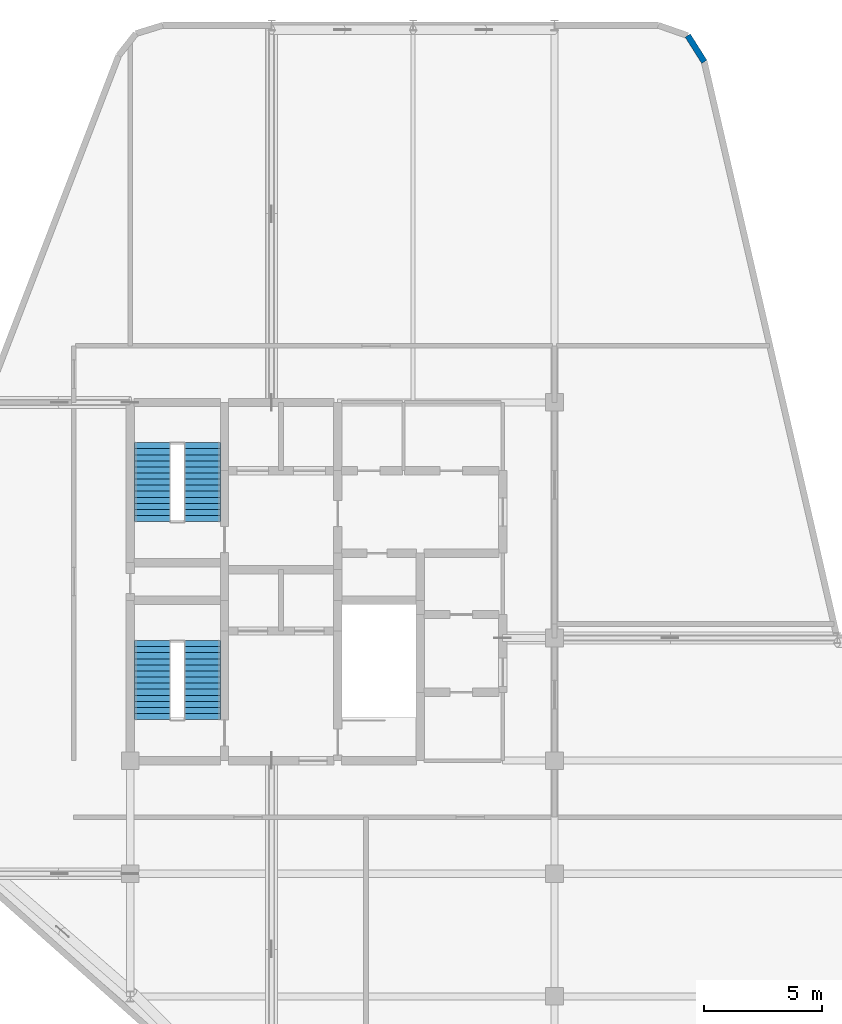
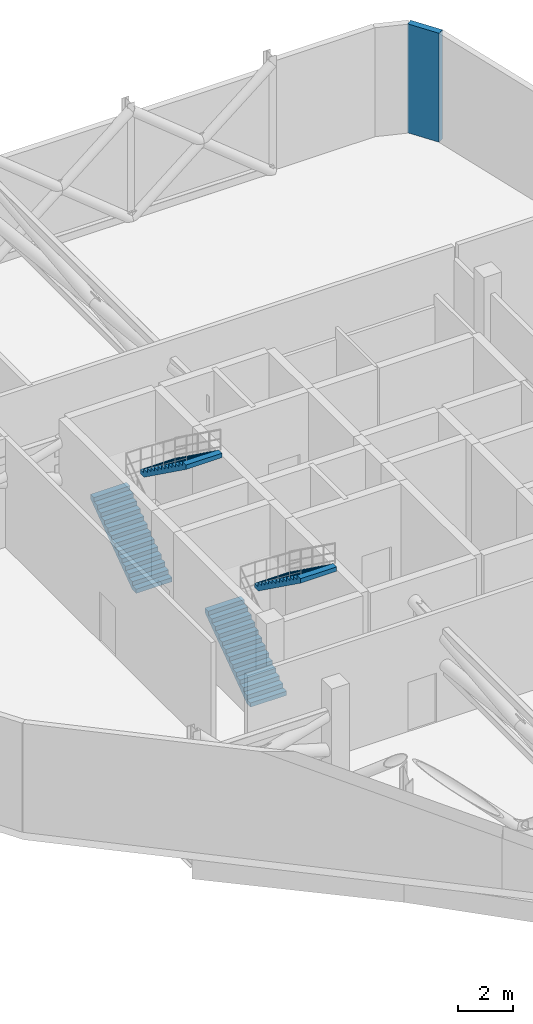
# One storey, part 11 of 12: 4 stair flights, 1 wall, 2 elements without a shape of their own.
"""IFC4 building model written with IfcOpenShell, lengths in metres."""

from ifc_helpers import new_model, si_unit, direction, frame, frame_2d, origin, place, context, subcontext, project, spatial, polyline, rectangle, outline, extrude, material, layer, layer_set, type_object, element, aggregate, save


model = new_model("IFC4")

# Units and contexts
model_context = context("Model", 3, precision=1e-05, world=origin(), true_north=direction((0.0, 1.0)))
body_context = subcontext(model_context, "Body", "Model", "MODEL_VIEW")
ifc_project = project(units=[si_unit("LENGTHUNIT", "METRE"), si_unit("AREAUNIT", "SQUARE_METRE"), si_unit("VOLUMEUNIT", "CUBIC_METRE"), si_unit("PLANEANGLEUNIT", "RADIAN"), si_unit("MASSUNIT", "GRAM", prefix="KILO")], contexts=[model_context])

# Site, building, storey
site_placement = place(None, origin())
site = spatial("IfcSite", under=ifc_project, at=site_placement, CompositionType="ELEMENT")
building_placement = place(site_placement, origin())
building = spatial("IfcBuilding", under=site, at=building_placement, Name="Keshet Zoharim Tower", CompositionType="ELEMENT")
storey_placement = place(building_placement, frame((0.0, 0.0, 237.60009765625)))
storey = spatial("IfcBuildingStorey", under=building, at=storey_placement, Name="L59", CompositionType="ELEMENT", Elevation=237.60009765625)

# Wall
ifc_material_1 = material(Name="Concrete C50/60 precast", Category="concrete")
ifc_layer = layer(ifc_material_1, 0.260009765625)
ifc_layer_set = layer_set([ifc_layer], Name="Concrete C50/60 precast")
wall_type = type_object("IfcWallType", Name="WL-EXT-260", PredefinedType="STANDARD", material=ifc_layer_set)
wall_placement = place(storey_placement, frame((38.654052734375, 53.465087890625, 0.0), z_axis=(0.0, 0.0, 1.0), x_axis=(0.53380488896, -0.845607675297, 0.0)))
element("IfcWall", 1, at=wall_placement, inside=storey, type_object=wall_type, Name="L59 Exterior Facade Wall 18", PredefinedType="STANDARD", context=body_context, shape_type="SweptSolid", body=[
    extrude(rectangle(XDim=1.318603515625, YDim=0.260009765625, at=frame_2d((0.6591796875, 0.0))), origin(), (0.0, 0.0, 1.0), 4.8798828125),
])

# Stair, stair flights
ifc_material_2 = material(Name="Concrete C50/60", Category="concrete")
stair_type = type_object("IfcStairType", Name="STR-EXIT-135", PredefinedType="HALF_TURN_STAIR", material=ifc_material_2)
stair_1_placement = place(storey_placement, origin())
stair_1 = element("IfcStair", 2, at=stair_1_placement, inside=storey, type_object=stair_type, Name="L59 Enclosed Exit Stair ST-01", PredefinedType="HALF_TURN_STAIR")
stair_flight_type = type_object("IfcStairFlightType", Name="FLT-PRE-135", PredefinedType="STRAIGHT", material=ifc_material_2)
stair_flight_1_placement = place(storey_placement, frame((15.945068359375, 24.43994140625, 0.0), z_axis=(0.0, 0.0, 1.0), x_axis=(0.0, 1.0, 0.0)))
stair_flight_1 = element("IfcStairFlight", 3, at=stair_flight_1_placement, type_object=stair_flight_type, Name="ST-01 flight 1", NumberOfRisers=14, NumberOfTreads=13, PredefinedType="STRAIGHT", RiserHeight=0.185714, TreadLength=0.258, context=body_context, shape_type="SweptSolid", body=[
    extrude(outline(polyline([(0.0, 0.0), (0.0, 0.185791015625), (0.258056640625, 0.185791015625), (0.258056640625, 0.371337890625), (0.51611328125, 0.371337890625), (0.51611328125, 0.55712890625), (0.77392578125, 0.55712890625), (0.77392578125, 0.742919921875), (1.031982421875, 0.742919921875), (1.031982421875, 0.928466796875), (1.2900390625, 0.928466796875), (1.2900390625, 1.1142578125), (1.548095703125, 1.1142578125), (1.548095703125, 1.300048828125), (1.805908203125, 1.300048828125), (1.805908203125, 1.485595703125), (2.06396484375, 1.485595703125), (2.06396484375, 1.67138671875), (2.322021484375, 1.67138671875), (2.322021484375, 1.857177734375), (2.580078125, 1.857177734375), (2.580078125, 2.04296875), (2.837890625, 2.04296875), (2.837890625, 2.228515625), (3.095947265625, 2.228515625), (3.095947265625, 2.414306640625), (3.35400390625, 2.414306640625), (3.35400390625, 2.60009765625), (3.35400390625, 2.21728515625), (0.273681640625, 0.0), (0.0, 0.0)])), frame((0.0, 0.76513671875, 0.0), z_axis=(0.0, -1.0, 0.0), x_axis=(1.0, 0.0, 0.0)), (0.0, 0.0, 1.0), 1.530029296875),
])
stair_flight_2_placement = place(storey_placement, frame((18.054931640625, 27.7939453125, 2.599853515625), z_axis=(0.0, 0.0, 1.0), x_axis=(0.0, -1.0, 0.0)))
stair_flight_2 = element("IfcStairFlight", 4, at=stair_flight_2_placement, type_object=stair_flight_type, Name="ST-01 flight 2", NumberOfRisers=14, NumberOfTreads=13, PredefinedType="STRAIGHT", RiserHeight=0.185714, TreadLength=0.258, context=body_context, shape_type="SweptSolid", body=[
    extrude(outline(polyline([(0.0, 0.0), (0.0, 0.185791015625), (0.258056640625, 0.185791015625), (0.258056640625, 0.371337890625), (0.51611328125, 0.371337890625), (0.51611328125, 0.55712890625), (0.77392578125, 0.55712890625), (0.77392578125, 0.742919921875), (1.031982421875, 0.742919921875), (1.031982421875, 0.928466796875), (1.2900390625, 0.928466796875), (1.2900390625, 1.1142578125), (1.548095703125, 1.1142578125), (1.548095703125, 1.300048828125), (1.805908203125, 1.300048828125), (1.805908203125, 1.485595703125), (2.06396484375, 1.485595703125), (2.06396484375, 1.67138671875), (2.322021484375, 1.67138671875), (2.322021484375, 1.857177734375), (2.580078125, 1.857177734375), (2.580078125, 2.04296875), (2.837890625, 2.04296875), (2.837890625, 2.228515625), (3.095947265625, 2.228515625), (3.095947265625, 2.414306640625), (3.35400390625, 2.414306640625), (3.35400390625, 2.60009765625), (3.35400390625, 2.21728515625), (0.273681640625, 0.0), (0.0, 0.0)])), frame((0.0, 0.76513671875, 0.0), z_axis=(0.0, -1.0, 0.0), x_axis=(1.0, 0.0, 0.0)), (0.0, 0.0, 1.0), 1.530029296875),
])
aggregate(stair_1, [stair_flight_1, stair_flight_2])

stair_2_placement = place(storey_placement, origin())
stair_2 = element("IfcStair", 5, at=stair_2_placement, inside=storey, type_object=stair_type, Name="L59 Enclosed Exit Stair ST-02", PredefinedType="HALF_TURN_STAIR")
stair_flight_3_placement = place(storey_placement, frame((15.945068359375, 32.840087890625, 0.0), z_axis=(0.0, 0.0, 1.0), x_axis=(0.0, 1.0, 0.0)))
stair_flight_3 = element("IfcStairFlight", 6, at=stair_flight_3_placement, type_object=stair_flight_type, Name="ST-02 flight 1", NumberOfRisers=14, NumberOfTreads=13, PredefinedType="STRAIGHT", RiserHeight=0.185714, TreadLength=0.258, context=body_context, shape_type="SweptSolid", body=[
    extrude(outline(polyline([(0.0, 0.0), (0.0, 0.185791015625), (0.258056640625, 0.185791015625), (0.258056640625, 0.371337890625), (0.51611328125, 0.371337890625), (0.51611328125, 0.55712890625), (0.77392578125, 0.55712890625), (0.77392578125, 0.742919921875), (1.031982421875, 0.742919921875), (1.031982421875, 0.928466796875), (1.2900390625, 0.928466796875), (1.2900390625, 1.1142578125), (1.548095703125, 1.1142578125), (1.548095703125, 1.300048828125), (1.805908203125, 1.300048828125), (1.805908203125, 1.485595703125), (2.06396484375, 1.485595703125), (2.06396484375, 1.67138671875), (2.322021484375, 1.67138671875), (2.322021484375, 1.857177734375), (2.580078125, 1.857177734375), (2.580078125, 2.04296875), (2.837890625, 2.04296875), (2.837890625, 2.228515625), (3.095947265625, 2.228515625), (3.095947265625, 2.414306640625), (3.35400390625, 2.414306640625), (3.35400390625, 2.60009765625), (3.35400390625, 2.21728515625), (0.273681640625, 0.0), (0.0, 0.0)])), frame((0.0, 0.76513671875, 0.0), z_axis=(0.0, -1.0, 0.0), x_axis=(1.0, 0.0, 0.0)), (0.0, 0.0, 1.0), 1.530029296875),
])
stair_flight_4_placement = place(storey_placement, frame((18.054931640625, 36.194091796875, 2.599853515625), z_axis=(0.0, 0.0, 1.0), x_axis=(0.0, -1.0, 0.0)))
stair_flight_4 = element("IfcStairFlight", 7, at=stair_flight_4_placement, type_object=stair_flight_type, Name="ST-02 flight 2", NumberOfRisers=14, NumberOfTreads=13, PredefinedType="STRAIGHT", RiserHeight=0.185714, TreadLength=0.258, context=body_context, shape_type="SweptSolid", body=[
    extrude(outline(polyline([(0.0, 0.0), (0.0, 0.185791015625), (0.258056640625, 0.185791015625), (0.258056640625, 0.371337890625), (0.51611328125, 0.371337890625), (0.51611328125, 0.55712890625), (0.77392578125, 0.55712890625), (0.77392578125, 0.742919921875), (1.031982421875, 0.742919921875), (1.031982421875, 0.928466796875), (1.2900390625, 0.928466796875), (1.2900390625, 1.1142578125), (1.548095703125, 1.1142578125), (1.548095703125, 1.300048828125), (1.805908203125, 1.300048828125), (1.805908203125, 1.485595703125), (2.06396484375, 1.485595703125), (2.06396484375, 1.67138671875), (2.322021484375, 1.67138671875), (2.322021484375, 1.857177734375), (2.580078125, 1.857177734375), (2.580078125, 2.04296875), (2.837890625, 2.04296875), (2.837890625, 2.228515625), (3.095947265625, 2.228515625), (3.095947265625, 2.414306640625), (3.35400390625, 2.414306640625), (3.35400390625, 2.60009765625), (3.35400390625, 2.21728515625), (0.273681640625, 0.0), (0.0, 0.0)])), frame((0.0, 0.76513671875, 0.0), z_axis=(0.0, -1.0, 0.0), x_axis=(1.0, 0.0, 0.0)), (0.0, 0.0, 1.0), 1.530029296875),
])
aggregate(stair_2, [stair_flight_3, stair_flight_4])

save(model, "model.ifc")
